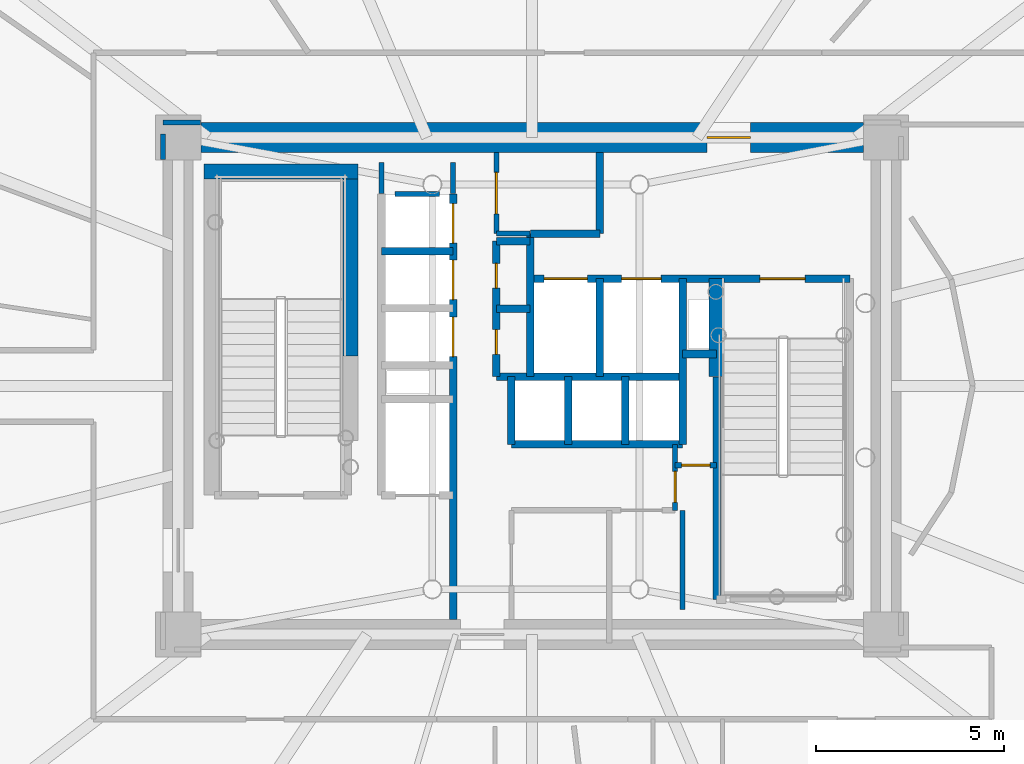
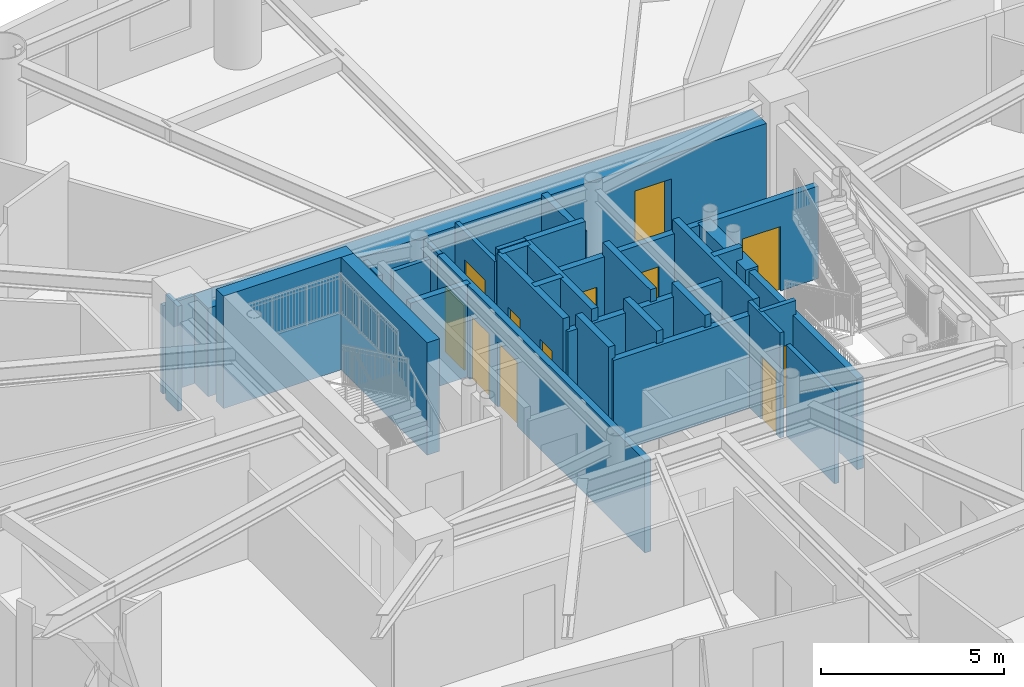
# One storey, part 12 of 21: 32 walls, 12 doors, 12 openings.
"""IFC4 building model written with IfcOpenShell, lengths in metres."""

import ifcopenshell
import ifcopenshell.guid

model = None  # the IFC model being written
_history = None  # IfcOwnerHistory: only IFC2X3 demands one
_inside = {}  # id of a spatial element -> (the spatial element, [elements in it])
_under = {}  # id of a project, library or spatial element -> (it, [spatial elements below it])
_declared = {}  # id of a project -> (the project, [libraries it declares])
_typed = {}  # id of a type object -> (the type object, [elements of that type])
_made_of = {}  # id of a material, layer set ... -> (it, [elements and type objects made of it])


def new_model(schema):
    """Start an empty IFC model of exactly this schema.

    Asked for "IFC4X3", IfcOpenShell would pick the latest addendum, in which some entities
    have other attributes; the version numbers below select the first issue.
    IFC2X3 requires an IfcOwnerHistory on every rooted entity: one is made here for all.
    """
    global model, _history
    if schema == "IFC4X3":
        model = ifcopenshell.file(schema_version=(4, 3, 0, 0))
    else:
        model = ifcopenshell.file(schema=schema)
    _inside.clear()
    _under.clear()
    _declared.clear()
    _typed.clear()
    _made_of.clear()
    _history = None
    if model.schema == "IFC2X3":
        org = make("IfcOrganization", Name="unknown")
        user = make(
            "IfcPersonAndOrganization",
            ThePerson=make("IfcPerson", FamilyName="unknown"),
            TheOrganization=org,
        )
        app = make(
            "IfcApplication",
            ApplicationDeveloper=org,
            Version="unknown",
            ApplicationFullName="unknown",
            ApplicationIdentifier="unknown",
        )
        _history = make(
            "IfcOwnerHistory",
            OwningUser=user,
            OwningApplication=app,
            ChangeAction="ADDED",
            CreationDate=0,
        )
    return model


def make(cls, **values):
    """One entity of the class cls with the attributes given. An attribute that is None is left unset."""
    return model.create_entity(
        cls, **{name: value for name, value in values.items() if value is not None}
    )


def rooted(cls, **values):
    """An entity with a GlobalId (a new one), such as an element, a storey or a relation."""
    return make(cls, GlobalId=ifcopenshell.guid.new(), OwnerHistory=_history, **values)


def si_unit(unit_type, name, prefix=None):
    """IfcSIUnit, for example si_unit("LENGTHUNIT", "METRE", prefix="MILLI")."""
    return make("IfcSIUnit", UnitType=unit_type, Prefix=prefix, Name=name)


def assignment(units):
    """IfcUnitAssignment: the units of a project."""
    return None if units is None else make("IfcUnitAssignment", Units=units)


def point(xyz):
    """IfcCartesianPoint."""
    return None if xyz is None else make("IfcCartesianPoint", Coordinates=xyz)


def direction(xyz):
    """IfcDirection."""
    return None if xyz is None else make("IfcDirection", DirectionRatios=xyz)


def frame(location, z_axis=None, x_axis=None):
    """IfcAxis2Placement3D, a coordinate frame: its origin and axes. An axis left out is left unset."""
    return make(
        "IfcAxis2Placement3D",
        Location=point(location),
        Axis=direction(z_axis),
        RefDirection=direction(x_axis),
    )


def frame_2d(location, x_axis=None):
    """IfcAxis2Placement2D, a coordinate frame in the plane: its origin and x axis."""
    return make(
        "IfcAxis2Placement2D", Location=point(location), RefDirection=direction(x_axis)
    )


def origin():
    """The frame at (0, 0, 0) with its axes left unset."""
    return frame((0.0, 0.0, 0.0))


def origin_2d():
    """The frame at (0, 0) in the plane with its x axis left unset."""
    return frame_2d((0.0, 0.0))


def place(relative_to, where):
    """IfcLocalPlacement: puts the frame where relative to a parent placement (None: the world)."""
    return make(
        "IfcLocalPlacement", PlacementRelTo=relative_to, RelativePlacement=where
    )


def context(
    kind, dimensions, precision=None, world=None, true_north=None, identifier=None
):
    """IfcGeometricRepresentationContext, for example the 3D "Model" context."""
    return make(
        "IfcGeometricRepresentationContext",
        ContextIdentifier=identifier,
        ContextType=kind,
        CoordinateSpaceDimension=dimensions,
        Precision=precision,
        WorldCoordinateSystem=world,
        TrueNorth=true_north,
    )


def subcontext(parent, identifier, kind, view, scale=None):
    """IfcGeometricRepresentationSubContext, for example "Body" below "Model"."""
    return make(
        "IfcGeometricRepresentationSubContext",
        ContextIdentifier=identifier,
        ContextType=kind,
        ParentContext=parent,
        TargetScale=scale,
        TargetView=view,
    )


def project(units=None, contexts=None):
    """IfcProject with its units and contexts."""
    return rooted(
        "IfcProject",
        Name="project",
        RepresentationContexts=contexts,
        UnitsInContext=assignment(units),
    )


def spatial(cls, under=None, at=None, **own):
    """A site, building, storey or space (cls), placed at a placement, below another one or the project."""
    s = rooted(cls, ObjectPlacement=at, **own)
    if under is not None:
        _under.setdefault(under.id(), (under, []))[1].append(s)
    return s


def profile(cls, at=None, kind="AREA", **sizes):
    """A parametric profile (cls). Its sizes go by their IFC names, for example OverallWidth=200.0."""
    return make(cls, ProfileType=kind, Position=at, **sizes)


def rectangle(**sizes):
    """IfcRectangleProfileDef."""
    return profile("IfcRectangleProfileDef", **sizes)


def extrude(swept, where, along, depth):
    """IfcExtrudedAreaSolid: the profile swept, set in the frame where, extruded along a direction by depth."""
    return make(
        "IfcExtrudedAreaSolid",
        SweptArea=swept,
        Position=where,
        ExtrudedDirection=direction(along),
        Depth=depth,
    )


def shape(context_of_items, identifier, shape_type, items):
    """IfcShapeRepresentation: the items that make up one representation, for example the "Body"."""
    return make(
        "IfcShapeRepresentation",
        ContextOfItems=context_of_items,
        RepresentationIdentifier=identifier,
        RepresentationType=shape_type,
        Items=items,
    )


def source(mapping_origin, context_of_items, identifier, shape_type, items):
    """IfcRepresentationMap: a shape defined once, which mapped items show again and again."""
    return make(
        "IfcRepresentationMap",
        MappingOrigin=mapping_origin,
        MappedRepresentation=shape(context_of_items, identifier, shape_type, items),
    )


def transform(
    local_origin,
    x_axis=None,
    y_axis=None,
    z_axis=None,
    scale=None,
    scale2=None,
    scale3=None,
    uniform=True,
):
    """IfcCartesianTransformationOperator3D, or its non-uniform kind. x_axis, y_axis, z_axis: its Axis1, 2, 3."""
    if uniform:
        return make(
            "IfcCartesianTransformationOperator3D",
            Axis1=direction(x_axis),
            Axis2=direction(y_axis),
            LocalOrigin=point(local_origin),
            Scale=scale,
            Axis3=direction(z_axis),
        )
    return make(
        "IfcCartesianTransformationOperator3DnonUniform",
        Axis1=direction(x_axis),
        Axis2=direction(y_axis),
        LocalOrigin=point(local_origin),
        Scale=scale,
        Axis3=direction(z_axis),
        Scale2=scale2,
        Scale3=scale3,
    )


def mapped(mapping_source, mapping_target):
    """IfcMappedItem: shows the shape of a source again, moved by a transform."""
    return make(
        "IfcMappedItem", MappingSource=mapping_source, MappingTarget=mapping_target
    )


def material(Name=None, Category=None):
    """IfcMaterial."""
    return make("IfcMaterial", Name=Name, Category=Category)


def layer(
    of_material, thickness, ventilated=None, Name=None, Category=None, Priority=None
):
    """IfcMaterialLayer: one layer of a wall or slab, of a material (None: an air gap)."""
    return make(
        "IfcMaterialLayer",
        Material=of_material,
        LayerThickness=thickness,
        IsVentilated=ventilated,
        Name=Name,
        Category=Category,
        Priority=Priority,
    )


def layer_set(layers, Name=None):
    """IfcMaterialLayerSet."""
    return make("IfcMaterialLayerSet", MaterialLayers=layers, LayerSetName=Name)


def made_of(thing, what):
    """Note that an element or type object is made of a material, layer set ...; save() writes the relation."""
    if what is not None:
        _made_of.setdefault(what.id(), (what, []))[1].append(thing)
    return thing


def type_object(cls, material=None, **own):
    """A type object (cls), such as IfcWallType, which elements share."""
    return made_of(rooted(cls, **own), material)


def element(
    cls,
    number,
    at=None,
    inside=None,
    cuts=None,
    type_object=None,
    material=None,
    context=None,
    identifier="Body",
    shape_type=None,
    held_by="IfcProductDefinitionShape",
    body=None,
    shapes=None,
    **own,
):
    """One element of the class cls, such as IfcWall. Its Tag is "e" and its number.

    at: its placement. inside: the storey or other place that contains it. cuts: it is an
    opening in that element (IfcRelVoidsElement). A single representation is given by context,
    identifier, shape_type and body (its items); several are given by shapes. held_by: the class
    of the entity that holds the representations. save() writes the other relations.
    """
    e = rooted(cls, Tag="e%d" % number, ObjectPlacement=at, **own)
    if body is not None:
        shapes = [shape(context, identifier, shape_type, body)]
    if shapes is not None:
        e.Representation = make(held_by, Representations=shapes)
    if inside is not None:
        _inside.setdefault(inside.id(), (inside, []))[1].append(e)
    if cuts is not None:
        rooted(
            "IfcRelVoidsElement", RelatingBuildingElement=cuts, RelatedOpeningElement=e
        )
    if type_object is not None:
        _typed.setdefault(type_object.id(), (type_object, []))[1].append(e)
    return made_of(e, material)


def fill(opening, filler):
    """IfcRelFillsElement: the door or window that sits in an opening."""
    return rooted(
        "IfcRelFillsElement",
        RelatingOpeningElement=opening,
        RelatedBuildingElement=filler,
    )


def aggregate(whole, parts):
    """IfcRelAggregates: a whole, such as a stair, and the parts it consists of."""
    return rooted("IfcRelAggregates", RelatingObject=whole, RelatedObjects=parts)


def save(model, path):
    """Write the relations noted so far, then the file.

    IfcRelAggregates (storeys below a building ...), IfcRelContainedInSpatialStructure (elements
    in a storey), IfcRelDefinesByType, IfcRelAssociatesMaterial and IfcRelDeclares: one each for
    every whole, place, type object, material and project.
    """
    for whole, parts in _under.values():
        aggregate(whole, parts)
    for where, things in _inside.values():
        rooted(
            "IfcRelContainedInSpatialStructure",
            RelatedElements=things,
            RelatingStructure=where,
        )
    for kind, things in _typed.values():
        rooted("IfcRelDefinesByType", RelatedObjects=things, RelatingType=kind)
    for what, things in _made_of.values():
        rooted("IfcRelAssociatesMaterial", RelatedObjects=things, RelatingMaterial=what)
    for by, libraries in _declared.values():
        rooted("IfcRelDeclares", RelatingContext=by, RelatedDefinitions=libraries)
    model.write(path)


model = new_model("IFC4")

# Units and contexts
model_context = context("Model", 3, precision=1e-05, world=origin(), true_north=direction((0.0, 1.0)))
body_context = subcontext(model_context, "Body", "Model", "MODEL_VIEW")
ifc_project = project(units=[si_unit("LENGTHUNIT", "METRE"), si_unit("AREAUNIT", "SQUARE_METRE"), si_unit("VOLUMEUNIT", "CUBIC_METRE"), si_unit("PLANEANGLEUNIT", "RADIAN"), si_unit("MASSUNIT", "GRAM", prefix="KILO")], contexts=[model_context])

# Site, building, storey
site_placement = place(None, origin())
site = spatial("IfcSite", under=ifc_project, at=site_placement, CompositionType="ELEMENT")
building_placement = place(site_placement, origin())
building = spatial("IfcBuilding", under=site, at=building_placement, Name="Linh Dai School and Residence Tower", CompositionType="ELEMENT")
storey_placement = place(building_placement, frame((0.0, 0.0, 171.14990234375)))
storey = spatial("IfcBuildingStorey", under=building, at=storey_placement, Name="L41", CompositionType="ELEMENT", Elevation=171.14990234375)

# Wall, opening, door
ifc_material_1 = material(Name="Autoclaved Aerated Concrete Blockwork", Category="masonry")
ifc_layer_1 = layer(ifc_material_1, 0.135009765625)
ifc_layer_set_1 = layer_set([ifc_layer_1], Name="Autoclaved Aerated Concrete Blockwork")
wall_type_1 = type_object("IfcWallType", Name="IW-CORR-135-EI90", PredefinedType="PARTITIONING", material=ifc_layer_set_1)
wall_1_placement = place(storey_placement, frame((35.050048828125, 31.050048828125, 0.0), z_axis=(0.0, 0.0, 1.0), x_axis=(0.0, 1.0, 0.0)))
wall_1 = element("IfcWall", 1, at=wall_1_placement, inside=storey, type_object=wall_type_1, Name="L41 Interior Partition Wall 040", PredefinedType="PARTITIONING", context=body_context, shape_type="SweptSolid", body=[
    extrude(rectangle(XDim=2.14990234375, YDim=0.135009765625, at=frame_2d((1.074951171875, 0.0))), origin(), (0.0, 0.0, 1.0), 3.085205078125),
])
opening_1_placement = place(wall_1_placement, frame((0.52490234375, 0.0, 0.0)))
opening_1 = element("IfcOpeningElement", 2, at=opening_1_placement, cuts=wall_1, Name="Opening D07", PredefinedType="OPENING", context=body_context, shape_type="SweptSolid", body=[
    extrude(rectangle(XDim=1.10009765625, YDim=2.14990234375, at=origin_2d()), frame((0.550048828125, 0.07763671875, 1.074951171875), z_axis=(0.0, -1.0, 0.0), x_axis=(1.0, 0.0, 0.0)), (0.0, 0.0, 1.0), 0.155029296875),
])
ifc_material_2 = material(Name="Fire-Rated Louvred Steel Plant Door", Category="steel")
door_type_1 = type_object("IfcDoorType", Name="DR-PLT-1100x2150-FD60S", OperationType="NOTDEFINED", PredefinedType="DOOR", material=ifc_material_2)
shared_shape_1 = source(origin(), body_context, "Body", "SweptSolid", [
    extrude(rectangle(XDim=1.10009765625, YDim=2.14990234375, at=origin_2d()), frame((0.550048828125, 0.02490234375, 1.074951171875), z_axis=(0.0, -1.0, 0.0), x_axis=(1.0, 0.0, 0.0)), (0.0, 0.0, 1.0), 0.050048828125),
])
door_1_placement = place(opening_1_placement, origin())
door_1 = element("IfcDoor", 3, at=door_1_placement, inside=storey, type_object=door_type_1, Name="L41 North Telecom Switchroom Door", OperationType="SINGLE_SWING_LEFT", OverallHeight=2.14990234375, OverallWidth=1.10009765625, PredefinedType="DOOR", context=body_context, shape_type="MappedRepresentation", body=[
    mapped(shared_shape_1, transform((0.0, 0.0, 0.0), x_axis=(1.0, 0.0, 0.0), y_axis=(0.0, 1.0, 0.0), z_axis=(0.0, 0.0, 1.0), scale=1.0)),
])
fill(opening_1, door_1)

# Wall
wall_2_placement = place(storey_placement, frame((35.050048828125, 31.050048828125, 0.0), z_axis=(0.0, 0.0, 1.0), x_axis=(1.0, 0.0, 0.0)))
element("IfcWall", 4, at=wall_2_placement, inside=storey, type_object=wall_type_1, Name="L41 Interior Partition Wall 041", PredefinedType="PARTITIONING", context=body_context, shape_type="SweptSolid", body=[
    extrude(rectangle(XDim=0.89990234375, YDim=0.135009765625, at=frame_2d((0.449951171875, 0.0))), origin(), (0.0, 0.0, 1.0), 3.5),
])

# Wall, opening, door
wall_3_placement = place(storey_placement, frame((39.800048828125, 23.699951171875, 0.0), z_axis=(0.0, 0.0, 1.0), x_axis=(0.0, 1.0, 0.0)))
wall_3 = element("IfcWall", 5, at=wall_3_placement, inside=storey, type_object=wall_type_1, Name="L41 Interior Partition Wall 058", PredefinedType="PARTITIONING", context=body_context, shape_type="SweptSolid", body=[
    extrude(rectangle(XDim=1.75, YDim=0.135009765625, at=frame_2d((0.875, 0.0))), origin(), (0.0, 0.0, 1.0), 3.5),
])
opening_2_placement = place(wall_3_placement, frame((0.2099609375, 0.0, 0.0)))
opening_2 = element("IfcOpeningElement", 6, at=opening_2_placement, cuts=wall_3, Name="Opening D06", PredefinedType="OPENING", context=body_context, shape_type="SweptSolid", body=[
    extrude(rectangle(XDim=0.820068359375, YDim=2.10009765625, at=origin_2d()), frame((0.41015625, 0.07763671875, 1.050048828125), z_axis=(0.0, -1.0, 0.0), x_axis=(1.0, 0.0, 0.0)), (0.0, 0.0, 1.0), 0.155029296875),
])
ifc_material_3 = material(Name="Moisture-Resistant Timber Bathroom Door", Category="wood")
door_type_2 = type_object("IfcDoorType", Name="DR-WET-820x2100", OperationType="NOTDEFINED", PredefinedType="DOOR", material=ifc_material_3)
shared_shape_2 = source(origin(), body_context, "Body", "SweptSolid", [
    extrude(rectangle(XDim=0.820068359375, YDim=2.10009765625, at=origin_2d()), frame((0.41015625, 0.02490234375, 1.050048828125), z_axis=(0.0, -1.0, 0.0), x_axis=(1.0, 0.0, 0.0)), (0.0, 0.0, 1.0), 0.050048828125),
])
door_2_placement = place(opening_2_placement, origin())
door_2 = element("IfcDoor", 7, at=door_2_placement, inside=storey, type_object=door_type_2, Name="L41 SE Electrical Closet Door", OperationType="SINGLE_SWING_RIGHT", OverallHeight=2.10009765625, OverallWidth=0.820068359375, PredefinedType="DOOR", context=body_context, shape_type="MappedRepresentation", body=[
    mapped(shared_shape_2, transform((0.0, 0.0, 0.0), x_axis=(1.0, 0.0, 0.0), y_axis=(0.0, 1.0, 0.0), z_axis=(0.0, 0.0, 1.0), scale=1.0)),
])
fill(opening_2, door_2)

# Walls
wall_4_placement = place(storey_placement, frame((32.360107421875, 32.10009765625, 0.0), z_axis=(0.0, 0.0, 1.0), x_axis=(1.0, 0.0, 0.0)))
element("IfcWall", 8, at=wall_4_placement, inside=storey, type_object=wall_type_1, Name="L41 Interior Partition Wall 084", PredefinedType="PARTITIONING", context=body_context, shape_type="SweptSolid", body=[
    extrude(rectangle(XDim=1.179931640625, YDim=0.135009765625, at=frame_2d((0.58984375, 0.0))), origin(), (0.0, 0.0, 1.0), 3.085205078125),
])
wall_5_placement = place(storey_placement, frame((40.0, 23.699951171875, 0.0), z_axis=(0.0, 0.0, 1.0), x_axis=(0.0, -1.0, 0.0)))
element("IfcWall", 9, at=wall_5_placement, inside=storey, type_object=wall_type_1, Name="L41 Interior Partition Wall 085", PredefinedType="PARTITIONING", context=body_context, shape_type="SweptSolid", body=[
    extrude(rectangle(XDim=2.639892578125, YDim=0.135009765625, at=frame_2d((1.31982421875, 0.0))), origin(), (0.0, 0.0, 1.0), 3.03515625),
])
wall_6_placement = place(storey_placement, frame((32.0, 32.93994140625, 0.0), z_axis=(0.0, 0.0, 1.0), x_axis=(0.0, -1.0, 0.0)))
element("IfcWall", 10, at=wall_6_placement, inside=storey, type_object=wall_type_1, Name="L41 Interior Partition Wall 086", PredefinedType="PARTITIONING", context=body_context, shape_type="SweptSolid", body=[
    extrude(rectangle(XDim=0.829833984375, YDim=0.135009765625, at=frame_2d((0.4150390625, 0.0))), origin(), (0.0, 0.0, 1.0), 3.03515625),
])
wall_7_placement = place(storey_placement, frame((33.89990234375, 32.110107421875, 0.0), z_axis=(0.0, 0.0, 1.0), x_axis=(0.0, 1.0, 0.0)))
element("IfcWall", 11, at=wall_7_placement, inside=storey, type_object=wall_type_1, Name="L41 Interior Partition Wall 087", PredefinedType="PARTITIONING", context=body_context, shape_type="SweptSolid", body=[
    extrude(rectangle(XDim=0.829833984375, YDim=0.135009765625, at=frame_2d((0.4150390625, 0.0))), origin(), (0.0, 0.0, 1.0), 3.085205078125),
])
wall_8_placement = place(storey_placement, frame((27.18994140625, 34.0, 0.0), z_axis=(0.0, 0.0, 1.0), x_axis=(-1.0, 0.0, 0.0)))
element("IfcWall", 12, at=wall_8_placement, inside=storey, type_object=wall_type_1, Name="L41 Interior Partition Wall 093", PredefinedType="PARTITIONING", context=body_context, shape_type="SweptSolid", body=[
    extrude(rectangle(XDim=0.989990234375, YDim=0.135009765625, at=frame_2d((0.4951171875, 0.0))), origin(), (0.0, 0.0, 1.0), 2.93505859375),
])
wall_9_placement = place(storey_placement, frame((26.199951171875, 33.6923828125, 0.0), z_axis=(0.0, 0.0, 1.0), x_axis=(0.0, -1.0, 0.0)))
element("IfcWall", 13, at=wall_9_placement, inside=storey, type_object=wall_type_1, Name="L41 Interior Partition Wall 094", PredefinedType="PARTITIONING", context=body_context, shape_type="SweptSolid", body=[
    extrude(rectangle(XDim=0.682373046875, YDim=0.135009765625, at=frame_2d((0.34130859375, 0.0))), origin(), (0.0, 0.0, 1.0), 3.5),
])

# Wall, opening, door
ifc_layer_2 = layer(ifc_material_1, 0.14990234375)
ifc_layer_set_2 = layer_set([ifc_layer_2], Name="Autoclaved Aerated Concrete Blockwork")
wall_type_2 = type_object("IfcWallType", Name="IW-SCH-150-EI60", PredefinedType="PARTITIONING", material=ifc_layer_set_2)
wall_10_placement = place(storey_placement, frame((39.800048828125, 24.89990234375, 0.0), z_axis=(0.0, 0.0, 1.0), x_axis=(1.0, 0.0, 0.0)))
wall_10 = element("IfcWall", 14, at=wall_10_placement, inside=storey, type_object=wall_type_2, Name="L41 Interior Partition Wall 059", PredefinedType="PARTITIONING", context=body_context, shape_type="SweptSolid", body=[
    extrude(rectangle(XDim=1.099853515625, YDim=0.14990234375, at=frame_2d((0.5498046875, 0.0))), origin(), (0.0, 0.0, 1.0), 3.5),
])
opening_3_placement = place(wall_10_placement, frame((0.169921875, 0.0, 0.0)))
opening_3 = element("IfcOpeningElement", 15, at=opening_3_placement, cuts=wall_10, Name="Opening D08", PredefinedType="OPENING", context=body_context, shape_type="SweptSolid", body=[
    extrude(rectangle(XDim=0.760009765625, YDim=2.10009765625, at=origin_2d()), frame((0.3798828125, 0.0849609375, 1.050048828125), z_axis=(0.0, -1.0, 0.0), x_axis=(1.0, 0.0, 0.0)), (0.0, 0.0, 1.0), 0.169921875),
])
ifc_material_4 = material(Name="Engineered Timber Closet and Study Door", Category="wood")
door_type_3 = type_object("IfcDoorType", Name="DR-CMP-760x2100", OperationType="NOTDEFINED", PredefinedType="DOOR", material=ifc_material_4)
shared_shape_3 = source(origin(), body_context, "Body", "SweptSolid", [
    extrude(rectangle(XDim=0.760009765625, YDim=2.10009765625, at=origin_2d()), frame((0.3798828125, 0.02490234375, 1.050048828125), z_axis=(0.0, -1.0, 0.0), x_axis=(1.0, 0.0, 0.0)), (0.0, 0.0, 1.0), 0.050048828125),
])
door_3_placement = place(opening_3_placement, origin())
door_3 = element("IfcDoor", 16, at=door_3_placement, inside=storey, type_object=door_type_3, Name="L41 NE Equipment Store Door", OperationType="SINGLE_SWING_LEFT", OverallHeight=2.10009765625, OverallWidth=0.760009765625, PredefinedType="DOOR", context=body_context, shape_type="MappedRepresentation", body=[
    mapped(shared_shape_3, transform((0.0, 0.0, 0.0), x_axis=(1.0, 0.0, 0.0), y_axis=(0.0, 1.0, 0.0), z_axis=(0.0, 0.0, 1.0), scale=1.0)),
])
fill(opening_3, door_3)

# Wall
ifc_material_5 = material(Name="Concrete B45 (C35/45)", Category="concrete")
ifc_layer_3 = layer(ifc_material_5, 0.199951171875)
ifc_layer_set_3 = layer_set([ifc_layer_3], Name="Concrete B45 (C35/45)")
wall_type_3 = type_object("IfcWallType", Name="IW-SHAFT-200-EI120", PredefinedType="PARTITIONING", material=ifc_layer_set_3)
wall_11_placement = place(storey_placement, frame((32.0, 30.580078125, 0.0), z_axis=(0.0, 0.0, 1.0), x_axis=(1.0, 0.0, 0.0)))
element("IfcWall", 17, at=wall_11_placement, inside=storey, type_object=wall_type_3, Name="L41 Interior Partition Wall 033", PredefinedType="PARTITIONING", context=body_context, shape_type="SweptSolid", body=[
    extrude(rectangle(XDim=1.89990234375, YDim=0.199951171875, at=frame_2d((0.949951171875, 0.0))), origin(), (0.0, 0.0, 1.0), 3.085205078125),
])

# Wall, openings, doors
wall_12_placement = place(storey_placement, frame((33.89990234375, 20.800048828125, 0.0), z_axis=(0.0, 0.0, 1.0), x_axis=(0.0, 1.0, 0.0)))
wall_12 = element("IfcWall", 18, at=wall_12_placement, inside=storey, type_object=wall_type_3, Name="L41 Interior Partition Wall 034", PredefinedType="PARTITIONING", context=body_context, shape_type="SweptSolid", body=[
    extrude(rectangle(XDim=11.300048828125, YDim=0.199951171875, at=frame_2d((5.64990234375, 0.0))), origin(), (0.0, 0.0, 1.0), 3.085205078125),
])
opening_4_placement = place(wall_12_placement, frame((6.97998046875, 0.0, 0.0)))
opening_4 = element("IfcOpeningElement", 19, at=opening_4_placement, cuts=wall_12, Name="Opening LD-PL4", PredefinedType="OPENING", context=body_context, shape_type="SweptSolid", body=[
    extrude(rectangle(XDim=1.050048828125, YDim=2.14990234375, at=origin_2d()), frame((0.52490234375, 0.10986328125, 1.074951171875), z_axis=(0.0, -1.0, 0.0), x_axis=(1.0, 0.0, 0.0)), (0.0, 0.0, 1.0), 0.219970703125),
])
opening_5_placement = place(wall_12_placement, frame((8.4951171875, 0.0, 0.0)))
opening_5 = element("IfcOpeningElement", 20, at=opening_5_placement, cuts=wall_12, Name="Opening LD-PL5", PredefinedType="OPENING", context=body_context, shape_type="SweptSolid", body=[
    extrude(rectangle(XDim=1.050048828125, YDim=2.14990234375, at=origin_2d()), frame((0.52490234375, 0.10986328125, 1.074951171875), z_axis=(0.0, -1.0, 0.0), x_axis=(1.0, 0.0, 0.0)), (0.0, 0.0, 1.0), 0.219970703125),
])
opening_6_placement = place(wall_12_placement, frame((9.9951171875, 0.0, 0.0)))
opening_6 = element("IfcOpeningElement", 21, at=opening_6_placement, cuts=wall_12, Name="Opening LD-PL6", PredefinedType="OPENING", context=body_context, shape_type="SweptSolid", body=[
    extrude(rectangle(XDim=1.050048828125, YDim=2.14990234375, at=origin_2d()), frame((0.52490234375, 0.10986328125, 1.074951171875), z_axis=(0.0, -1.0, 0.0), x_axis=(1.0, 0.0, 0.0)), (0.0, 0.0, 1.0), 0.219970703125),
])
ifc_material_6 = material(Name="Brushed Stainless Steel Lift Landing Door", Category="steel")
door_type_4 = type_object("IfcDoorType", Name="DR-LD-PASS-1050x2150", OperationType="DOUBLE_DOOR_SLIDING", PredefinedType="USERDEFINED", material=ifc_material_6)
shared_shape_4 = source(origin(), body_context, "Body", "SweptSolid", [
    extrude(rectangle(XDim=1.050048828125, YDim=2.14990234375, at=origin_2d()), frame((0.52490234375, 0.02490234375, 1.074951171875), z_axis=(0.0, -1.0, 0.0), x_axis=(1.0, 0.0, 0.0)), (0.0, 0.0, 1.0), 0.050048828125),
])
door_4_placement = place(opening_4_placement, origin())
door_4 = element("IfcDoor", 22, at=door_4_placement, inside=storey, type_object=door_type_4, Name="L41 Lift PL4 Sliding Landing Door", ObjectType="LANDING DOOR", OperationType="DOUBLE_DOOR_SLIDING", OverallHeight=2.14990234375, OverallWidth=1.050048828125, PredefinedType="USERDEFINED", context=body_context, shape_type="MappedRepresentation", body=[
    mapped(shared_shape_4, transform((0.0, 0.0, 0.0), x_axis=(1.0, 0.0, 0.0), y_axis=(0.0, 1.0, 0.0), z_axis=(0.0, 0.0, 1.0), scale=1.0)),
])
fill(opening_4, door_4)
door_5_placement = place(opening_5_placement, origin())
door_5 = element("IfcDoor", 23, at=door_5_placement, inside=storey, type_object=door_type_4, Name="L41 Lift PL5 Sliding Landing Door", ObjectType="LANDING DOOR", OperationType="DOUBLE_DOOR_SLIDING", OverallHeight=2.14990234375, OverallWidth=1.050048828125, PredefinedType="USERDEFINED", context=body_context, shape_type="MappedRepresentation", body=[
    mapped(shared_shape_4, transform((0.0, 0.0, 0.0), x_axis=(1.0, 0.0, 0.0), y_axis=(0.0, 1.0, 0.0), z_axis=(0.0, 0.0, 1.0), scale=1.0)),
])
fill(opening_5, door_5)
door_6_placement = place(opening_6_placement, origin())
door_6 = element("IfcDoor", 24, at=door_6_placement, inside=storey, type_object=door_type_4, Name="L41 Lift PL6 Sliding Landing Door", ObjectType="LANDING DOOR", OperationType="DOUBLE_DOOR_SLIDING", OverallHeight=2.14990234375, OverallWidth=1.050048828125, PredefinedType="USERDEFINED", context=body_context, shape_type="MappedRepresentation", body=[
    mapped(shared_shape_4, transform((0.0, 0.0, 0.0), x_axis=(1.0, 0.0, 0.0), y_axis=(0.0, 1.0, 0.0), z_axis=(0.0, 0.0, 1.0), scale=1.0)),
])
fill(opening_6, door_6)

wall_13_placement = place(storey_placement, frame((35.050048828125, 27.25, 0.0), z_axis=(0.0, 0.0, 1.0), x_axis=(0.0, 1.0, 0.0)))
wall_13 = element("IfcWall", 25, at=wall_13_placement, inside=storey, type_object=wall_type_3, Name="L41 Interior Partition Wall 036", PredefinedType="PARTITIONING", context=body_context, shape_type="SweptSolid", body=[
    extrude(rectangle(XDim=3.60009765625, YDim=0.199951171875, at=frame_2d((1.800048828125, 0.0))), origin(), (0.0, 0.0, 1.0), 3.5),
])
opening_7_placement = place(wall_13_placement, frame((0.590087890625, 0.0, 0.0)))
opening_7 = element("IfcOpeningElement", 26, at=opening_7_placement, cuts=wall_13, Name="Opening AD1", PredefinedType="OPENING", context=body_context, shape_type="SweptSolid", body=[
    extrude(rectangle(XDim=0.659912109375, YDim=2.050048828125, at=origin_2d()), frame((0.330078125, 0.10986328125, 1.02490234375), z_axis=(0.0, -1.0, 0.0), x_axis=(1.0, 0.0, 0.0)), (0.0, 0.0, 1.0), 0.219970703125),
])
opening_8_placement = place(wall_13_placement, frame((2.35009765625, 0.0, 0.0)))
opening_8 = element("IfcOpeningElement", 27, at=opening_8_placement, cuts=wall_13, Name="Opening AD1", PredefinedType="OPENING", context=body_context, shape_type="SweptSolid", body=[
    extrude(rectangle(XDim=0.659912109375, YDim=2.050048828125, at=origin_2d()), frame((0.330078125, 0.10986328125, 1.02490234375), z_axis=(0.0, -1.0, 0.0), x_axis=(1.0, 0.0, 0.0)), (0.0, 0.0, 1.0), 0.219970703125),
])
ifc_material_7 = material(Name="Fire-Rated Steel Riser Access Door", Category="steel")
door_type_5 = type_object("IfcDoorType", Name="DR-ACC-660x2050-FD90S", OperationType="NOTDEFINED", PredefinedType="USERDEFINED", material=ifc_material_7)
shared_shape_5 = source(origin(), body_context, "Body", "SweptSolid", [
    extrude(rectangle(XDim=0.659912109375, YDim=2.050048828125, at=origin_2d()), frame((0.330078125, 0.02490234375, 1.02490234375), z_axis=(0.0, -1.0, 0.0), x_axis=(1.0, 0.0, 0.0)), (0.0, 0.0, 1.0), 0.050048828125),
])
door_7_placement = place(opening_7_placement, origin())
door_7 = element("IfcDoor", 28, at=door_7_placement, inside=storey, type_object=door_type_5, Name="L41 Telecom and Data Riser Access Door", ObjectType="ACCESS DOOR", OperationType="SINGLE_SWING_LEFT", OverallHeight=2.050048828125, OverallWidth=0.659912109375, PredefinedType="USERDEFINED", context=body_context, shape_type="MappedRepresentation", body=[
    mapped(shared_shape_5, transform((0.0, 0.0, 0.0), x_axis=(1.0, 0.0, 0.0), y_axis=(0.0, 1.0, 0.0), z_axis=(0.0, 0.0, 1.0), scale=1.0)),
])
fill(opening_7, door_7)
door_8_placement = place(opening_8_placement, origin())
door_8 = element("IfcDoor", 29, at=door_8_placement, inside=storey, type_object=door_type_5, Name="L41 Mechanical and Plumbing Riser Access Door", ObjectType="ACCESS DOOR", OperationType="SINGLE_SWING_RIGHT", OverallHeight=2.050048828125, OverallWidth=0.659912109375, PredefinedType="USERDEFINED", context=body_context, shape_type="MappedRepresentation", body=[
    mapped(shared_shape_5, transform((0.0, 0.0, 0.0), x_axis=(1.0, 0.0, 0.0), y_axis=(0.0, 1.0, 0.0), z_axis=(0.0, 0.0, 1.0), scale=1.0)),
])
fill(opening_8, door_8)

# Walls
wall_14_placement = place(storey_placement, frame((35.050048828125, 27.25, 0.0), z_axis=(0.0, 0.0, 1.0), x_axis=(1.0, 0.0, 0.0)))
element("IfcWall", 30, at=wall_14_placement, inside=storey, type_object=wall_type_3, Name="L41 Interior Partition Wall 037", PredefinedType="PARTITIONING", context=body_context, shape_type="SweptSolid", body=[
    extrude(rectangle(XDim=4.949951171875, YDim=0.199951171875, at=frame_2d((2.47509765625, 0.0))), origin(), (0.0, 0.0, 1.0), 3.085205078125),
])
for number, where, z_axis, x_axis, name in (
    (31, (35.050048828125, 29.050048828125, 0.0), (0.0, 0.0, 1.0), (1.0, 0.0, 0.0), "L41 Interior Partition Wall 038"),
    (32, (35.050048828125, 30.85009765625, 0.0), (0.0, 0.0, 1.0), (1.0, 0.0, 0.0), "L41 Interior Partition Wall 039"),
):
    element("IfcWall", number, at=place(storey_placement, frame(where, z_axis=z_axis, x_axis=x_axis)), inside=storey, type_object=wall_type_3, Name=name, PredefinedType="PARTITIONING", context=body_context, shape_type="SweptSolid", body=[
        extrude(rectangle(XDim=0.89990234375, YDim=0.199951171875, at=frame_2d((0.449951171875, 0.0))), origin(), (0.0, 0.0, 1.0), 3.5),
    ])
wall_15_placement = place(storey_placement, frame((35.449951171875, 25.449951171875, 0.0), z_axis=(0.0, 0.0, 1.0), x_axis=(0.0, 1.0, 0.0)))
element("IfcWall", 33, at=wall_15_placement, inside=storey, type_object=wall_type_3, Name="L41 Interior Partition Wall 044", PredefinedType="PARTITIONING", context=body_context, shape_type="SweptSolid", body=[
    extrude(rectangle(XDim=1.800048828125, YDim=0.199951171875, at=frame_2d((0.89990234375, 0.0))), origin(), (0.0, 0.0, 1.0), 3.5),
])
wall_16_placement = place(storey_placement, frame((35.449951171875, 25.449951171875, 0.0), z_axis=(0.0, 0.0, 1.0), x_axis=(1.0, 0.0, 0.0)))
element("IfcWall", 34, at=wall_16_placement, inside=storey, type_object=wall_type_3, Name="L41 Interior Partition Wall 045", PredefinedType="PARTITIONING", context=body_context, shape_type="SweptSolid", body=[
    extrude(rectangle(XDim=4.550048828125, YDim=0.199951171875, at=frame_2d((2.27490234375, 0.0))), origin(), (0.0, 0.0, 1.0), 3.085205078125),
])
wall_17_placement = place(storey_placement, frame((35.949951171875, 27.25, 0.0), z_axis=(0.0, 0.0, 1.0), x_axis=(0.0, 1.0, 0.0)))
element("IfcWall", 35, at=wall_17_placement, inside=storey, type_object=wall_type_3, Name="L41 Interior Partition Wall 046", PredefinedType="PARTITIONING", context=body_context, shape_type="SweptSolid", body=[
    extrude(rectangle(XDim=3.800048828125, YDim=0.199951171875, at=frame_2d((1.89990234375, 0.0))), origin(), (0.0, 0.0, 1.0), 3.5),
])

# Wall, openings, doors
wall_18_placement = place(storey_placement, frame((35.949951171875, 29.85009765625, 0.0), z_axis=(0.0, 0.0, 1.0), x_axis=(1.0, 0.0, 0.0)))
wall_18 = element("IfcWall", 36, at=wall_18_placement, inside=storey, type_object=wall_type_3, Name="L41 Interior Partition Wall 047", PredefinedType="PARTITIONING", context=body_context, shape_type="SweptSolid", body=[
    extrude(rectangle(XDim=8.489990234375, YDim=0.199951171875, at=frame_2d((4.2451171875, 0.0))), origin(), (0.0, 0.0, 1.0), 3.085205078125),
])
opening_9_placement = place(wall_18_placement, frame((6.10009765625, 0.0, 0.0)))
opening_9 = element("IfcOpeningElement", 37, at=opening_9_placement, cuts=wall_18, Name="Opening D01", PredefinedType="OPENING", context=body_context, shape_type="SweptSolid", body=[
    extrude(rectangle(XDim=1.199951171875, YDim=2.14990234375, at=origin_2d()), frame((0.60009765625, 0.10986328125, 1.074951171875), z_axis=(0.0, -1.0, 0.0), x_axis=(1.0, 0.0, 0.0)), (0.0, 0.0, 1.0), 0.219970703125),
])
opening_10_placement = place(wall_18_placement, frame((0.3701171875, 0.0, 0.0)))
opening_10 = element("IfcOpeningElement", 38, at=opening_10_placement, cuts=wall_18, Name="Opening LD-FF1", PredefinedType="OPENING", context=body_context, shape_type="SweptSolid", body=[
    extrude(rectangle(XDim=1.14990234375, YDim=2.14990234375, at=origin_2d()), frame((0.574951171875, 0.10986328125, 1.074951171875), z_axis=(0.0, -1.0, 0.0), x_axis=(1.0, 0.0, 0.0)), (0.0, 0.0, 1.0), 0.219970703125),
])
opening_11_placement = place(wall_18_placement, frame((2.425048828125, 0.0, 0.0)))
opening_11 = element("IfcOpeningElement", 39, at=opening_11_placement, cuts=wall_18, Name="Opening LD-SV1", PredefinedType="OPENING", context=body_context, shape_type="SweptSolid", body=[
    extrude(rectangle(XDim=1.050048828125, YDim=2.14990234375, at=origin_2d()), frame((0.52490234375, 0.10986328125, 1.074951171875), z_axis=(0.0, -1.0, 0.0), x_axis=(1.0, 0.0, 0.0)), (0.0, 0.0, 1.0), 0.219970703125),
])
ifc_material_8 = material(Name="Fire-Rated Steel Door Leaf", Category="steel")
door_type_6 = type_object("IfcDoorType", Name="DR-STAIR-1200x2150-FD90S", OperationType="NOTDEFINED", PredefinedType="DOOR", material=ifc_material_8)
shared_shape_6 = source(origin(), body_context, "Body", "SweptSolid", [
    extrude(rectangle(XDim=1.199951171875, YDim=2.14990234375, at=origin_2d()), frame((0.60009765625, 0.02490234375, 1.074951171875), z_axis=(0.0, -1.0, 0.0), x_axis=(1.0, 0.0, 0.0)), (0.0, 0.0, 1.0), 0.050048828125),
])
door_9_placement = place(opening_9_placement, origin())
door_9 = element("IfcDoor", 40, at=door_9_placement, inside=storey, type_object=door_type_6, Name="L41 Core Smokeproof Exit Stair ST2 Door", OperationType="SINGLE_SWING_LEFT", OverallHeight=2.14990234375, OverallWidth=1.199951171875, PredefinedType="DOOR", context=body_context, shape_type="MappedRepresentation", body=[
    mapped(shared_shape_6, transform((0.0, 0.0, 0.0), x_axis=(1.0, 0.0, 0.0), y_axis=(0.0, 1.0, 0.0), z_axis=(0.0, 0.0, 1.0), scale=1.0)),
])
fill(opening_9, door_9)
ifc_material_9 = material(Name="Fire-Rated Stainless Steel Firefighting Lift Door", Category="steel")
door_type_7 = type_object("IfcDoorType", Name="DR-LD-FF-1150x2150-FD120", OperationType="DOUBLE_DOOR_SLIDING", PredefinedType="USERDEFINED", material=ifc_material_9)
shared_shape_7 = source(origin(), body_context, "Body", "SweptSolid", [
    extrude(rectangle(XDim=1.14990234375, YDim=2.14990234375, at=origin_2d()), frame((0.574951171875, 0.02490234375, 1.074951171875), z_axis=(0.0, -1.0, 0.0), x_axis=(1.0, 0.0, 0.0)), (0.0, 0.0, 1.0), 0.050048828125),
])
door_10_placement = place(opening_10_placement, origin())
door_10 = element("IfcDoor", 41, at=door_10_placement, inside=storey, type_object=door_type_7, Name="L41 Lift FF1 Sliding Landing Door", ObjectType="LANDING DOOR", OperationType="DOUBLE_DOOR_SLIDING", OverallHeight=2.14990234375, OverallWidth=1.14990234375, PredefinedType="USERDEFINED", context=body_context, shape_type="MappedRepresentation", body=[
    mapped(shared_shape_7, transform((0.0, 0.0, 0.0), x_axis=(1.0, 0.0, 0.0), y_axis=(0.0, 1.0, 0.0), z_axis=(0.0, 0.0, 1.0), scale=1.0)),
])
fill(opening_10, door_10)
door_11_placement = place(opening_11_placement, origin())
door_11 = element("IfcDoor", 42, at=door_11_placement, inside=storey, type_object=door_type_4, Name="L41 Lift SV1 Sliding Landing Door", ObjectType="LANDING DOOR", OperationType="DOUBLE_DOOR_SLIDING", OverallHeight=2.14990234375, OverallWidth=1.050048828125, PredefinedType="USERDEFINED", context=body_context, shape_type="MappedRepresentation", body=[
    mapped(shared_shape_4, transform((0.0, 0.0, 0.0), x_axis=(1.0, 0.0, 0.0), y_axis=(0.0, 1.0, 0.0), z_axis=(0.0, 0.0, 1.0), scale=1.0)),
])
fill(opening_11, door_11)

# Walls
wall_19_placement = place(storey_placement, frame((35.9599609375, 31.050048828125, 0.0), z_axis=(0.0, 0.0, 1.0), x_axis=(1.0, 0.0, 0.0)))
element("IfcWall", 43, at=wall_19_placement, inside=storey, type_object=wall_type_3, Name="L41 Interior Partition Wall 048", PredefinedType="PARTITIONING", context=body_context, shape_type="SweptSolid", body=[
    extrude(rectangle(XDim=1.840087890625, YDim=0.199951171875, at=frame_2d((0.919921875, 0.0))), origin(), (0.0, 0.0, 1.0), 3.5),
])
wall_20_placement = place(storey_placement, frame((36.9599609375, 25.449951171875, 0.0), z_axis=(0.0, 0.0, 1.0), x_axis=(0.0, 1.0, 0.0)))
element("IfcWall", 44, at=wall_20_placement, inside=storey, type_object=wall_type_3, Name="L41 Interior Partition Wall 050", PredefinedType="PARTITIONING", context=body_context, shape_type="SweptSolid", body=[
    extrude(rectangle(XDim=1.800048828125, YDim=0.199951171875, at=frame_2d((0.89990234375, 0.0))), origin(), (0.0, 0.0, 1.0), 3.5),
])
wall_21_placement = place(storey_placement, frame((37.800048828125, 27.25, 0.0), z_axis=(0.0, 0.0, 1.0), x_axis=(0.0, 1.0, 0.0)))
element("IfcWall", 45, at=wall_21_placement, inside=storey, type_object=wall_type_3, Name="L41 Interior Partition Wall 052", PredefinedType="PARTITIONING", context=body_context, shape_type="SweptSolid", body=[
    extrude(rectangle(XDim=2.60009765625, YDim=0.199951171875, at=frame_2d((1.300048828125, 0.0))), origin(), (0.0, 0.0, 1.0), 3.5),
])
wall_22_placement = place(storey_placement, frame((37.800048828125, 31.050048828125, 0.0), z_axis=(0.0, 0.0, 1.0), x_axis=(0.0, 1.0, 0.0)))
element("IfcWall", 46, at=wall_22_placement, inside=storey, type_object=wall_type_3, Name="L41 Interior Partition Wall 053", PredefinedType="PARTITIONING", context=body_context, shape_type="SweptSolid", body=[
    extrude(rectangle(XDim=2.14990234375, YDim=0.199951171875, at=frame_2d((1.074951171875, 0.0))), origin(), (0.0, 0.0, 1.0), 3.085205078125),
])
wall_23_placement = place(storey_placement, frame((38.47998046875, 25.449951171875, 0.0), z_axis=(0.0, 0.0, 1.0), x_axis=(0.0, 1.0, 0.0)))
element("IfcWall", 47, at=wall_23_placement, inside=storey, type_object=wall_type_3, Name="L41 Interior Partition Wall 055", PredefinedType="PARTITIONING", context=body_context, shape_type="SweptSolid", body=[
    extrude(rectangle(XDim=1.800048828125, YDim=0.199951171875, at=frame_2d((0.89990234375, 0.0))), origin(), (0.0, 0.0, 1.0), 3.5),
])
wall_24_placement = place(storey_placement, frame((40.0, 25.449951171875, 0.0), z_axis=(0.0, 0.0, 1.0), x_axis=(0.0, 1.0, 0.0)))
element("IfcWall", 48, at=wall_24_placement, inside=storey, type_object=wall_type_3, Name="L41 Interior Partition Wall 060", PredefinedType="PARTITIONING", context=body_context, shape_type="SweptSolid", body=[
    extrude(rectangle(XDim=4.400146484375, YDim=0.199951171875, at=frame_2d((2.2001953125, 0.0))), origin(), (0.0, 0.0, 1.0), 3.5),
])
wall_25_placement = place(storey_placement, frame((40.0, 27.85009765625, 0.0), z_axis=(0.0, 0.0, 1.0), x_axis=(1.0, 0.0, 0.0)))
element("IfcWall", 49, at=wall_25_placement, inside=storey, type_object=wall_type_3, Name="L41 Interior Partition Wall 061", PredefinedType="PARTITIONING", context=body_context, shape_type="SweptSolid", body=[
    extrude(rectangle(XDim=0.89990234375, YDim=0.199951171875, at=frame_2d((0.449951171875, 0.0))), origin(), (0.0, 0.0, 1.0), 3.5),
])
wall_26_placement = place(storey_placement, frame((40.89990234375, 21.330078125, 0.0), z_axis=(0.0, 0.0, 1.0), x_axis=(0.0, 1.0, 0.0)))
element("IfcWall", 50, at=wall_26_placement, inside=storey, type_object=wall_type_3, Name="L41 Interior Partition Wall 062", PredefinedType="PARTITIONING", context=body_context, shape_type="SweptSolid", body=[
    extrude(rectangle(XDim=5.909912109375, YDim=0.199951171875, at=frame_2d((2.955078125, 0.0))), origin(), (0.0, 0.0, 1.0), 3.03515625),
])
ifc_layer_4 = layer(ifc_material_5, 0.39990234375)
ifc_layer_set_4 = layer_set([ifc_layer_4], Name="Concrete B45 (C35/45)")
wall_type_4 = type_object("IfcWallType", Name="WL-CORE400", PredefinedType="SHEAR", material=ifc_layer_set_4)
wall_27_placement = place(storey_placement, frame((31.179931640625, 27.800048828125, 0.0), z_axis=(0.0, 0.0, 1.0), x_axis=(0.0, 1.0, 0.0)))
element("IfcWall", 51, at=wall_27_placement, inside=storey, type_object=wall_type_4, Name="L41 Core Stair ST1 Bearing Wall E", PredefinedType="SHEAR", context=body_context, shape_type="SweptSolid", body=[
    extrude(rectangle(XDim=4.89990234375, YDim=0.39990234375, at=frame_2d((2.449951171875, 0.0))), origin(), (0.0, 0.0, 1.0), 3.75),
])
wall_28_placement = place(storey_placement, frame((27.280029296875, 32.699951171875, 0.0), z_axis=(0.0, 0.0, 1.0), x_axis=(1.0, 0.0, 0.0)))
element("IfcWall", 52, at=wall_28_placement, inside=storey, type_object=wall_type_4, Name="L41 Core Stair ST1 Bearing Wall N", PredefinedType="SHEAR", context=body_context, shape_type="SweptSolid", body=[
    extrude(rectangle(XDim=4.099853515625, YDim=0.39990234375, at=frame_2d((2.0498046875, 0.0))), origin(), (0.0, 0.0, 1.0), 3.75),
])
wall_29_placement = place(storey_placement, frame((40.89990234375, 27.25, 0.0), z_axis=(0.0, 0.0, 1.0), x_axis=(0.0, 1.0, 0.0)))
element("IfcWall", 53, at=wall_29_placement, inside=storey, type_object=wall_type_4, Name="L41 Internal Core Shear Wall IE", PredefinedType="SHEAR", context=body_context, shape_type="SweptSolid", body=[
    extrude(rectangle(XDim=2.60009765625, YDim=0.39990234375, at=frame_2d((1.300048828125, 0.0))), origin(), (0.0, 0.0, 1.0), 3.10009765625),
])

# Wall, opening, door
ifc_material_10 = material(Name="Concrete B60 (C50/60)", Category="concrete")
ifc_layer_5 = layer(ifc_material_10, 0.800048828125)
ifc_layer_set_5 = layer_set([ifc_layer_5], Name="Concrete B60 (C50/60)")
wall_type_5 = type_object("IfcWallType", Name="WL-CORE800", PredefinedType="SHEAR", material=ifc_layer_set_5)
wall_30_placement = place(storey_placement, frame((27.199951171875, 33.60009765625, 0.0), z_axis=(0.0, 0.0, 1.0), x_axis=(1.0, 0.0, 0.0)))
wall_30 = element("IfcWall", 54, at=wall_30_placement, inside=storey, type_object=wall_type_5, Name="L41 Central Core Shear Wall N", PredefinedType="SHEAR", context=body_context, shape_type="SweptSolid", body=[
    extrude(rectangle(XDim=17.60009765625, YDim=0.800048828125, at=frame_2d((8.800048828125, 0.0))), origin(), (0.0, 0.0, 1.0), 2.9501953125),
])
opening_12_placement = place(wall_30_placement, frame((13.449951171875, 0.0, 0.0)))
opening_12 = element("IfcOpeningElement", 55, at=opening_12_placement, cuts=wall_30, Name="Opening D02", PredefinedType="OPENING", context=body_context, shape_type="SweptSolid", body=[
    extrude(rectangle(XDim=1.14990234375, YDim=2.14990234375, at=origin_2d()), frame((0.574951171875, 0.41015625, 1.074951171875), z_axis=(0.0, -1.0, 0.0), x_axis=(1.0, 0.0, 0.0)), (0.0, 0.0, 1.0), 0.820068359375),
])
ifc_material_11 = material(Name="Fire-Rated Glazed Steel Lobby Door", Category="steel")
door_type_8 = type_object("IfcDoorType", Name="DR-LOBBY-1150x2150-FD90S", OperationType="NOTDEFINED", PredefinedType="DOOR", material=ifc_material_11)
shared_shape_8 = source(origin(), body_context, "Body", "SweptSolid", [
    extrude(rectangle(XDim=1.14990234375, YDim=2.14990234375, at=origin_2d()), frame((0.574951171875, 0.02490234375, 1.074951171875), z_axis=(0.0, -1.0, 0.0), x_axis=(1.0, 0.0, 0.0)), (0.0, 0.0, 1.0), 0.050048828125),
])
door_12_placement = place(opening_12_placement, origin())
door_12 = element("IfcDoor", 56, at=door_12_placement, inside=storey, type_object=door_type_8, Name="L41 Firefighting Lobby Door", OperationType="SINGLE_SWING_RIGHT", OverallHeight=2.14990234375, OverallWidth=1.14990234375, PredefinedType="DOOR", context=body_context, shape_type="MappedRepresentation", body=[
    mapped(shared_shape_8, transform((0.0, 0.0, 0.0), x_axis=(1.0, 0.0, 0.0), y_axis=(0.0, 1.0, 0.0), z_axis=(0.0, 0.0, 1.0), scale=1.0)),
])
fill(opening_12, door_12)

save(model, "model.ifc")
